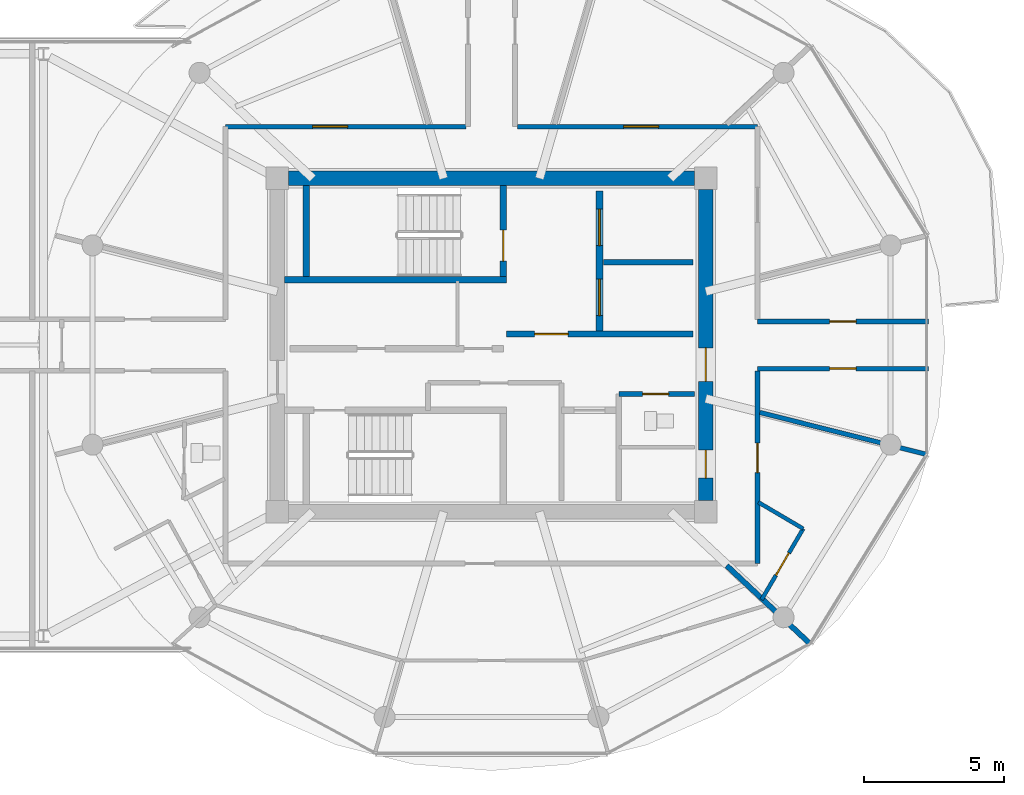
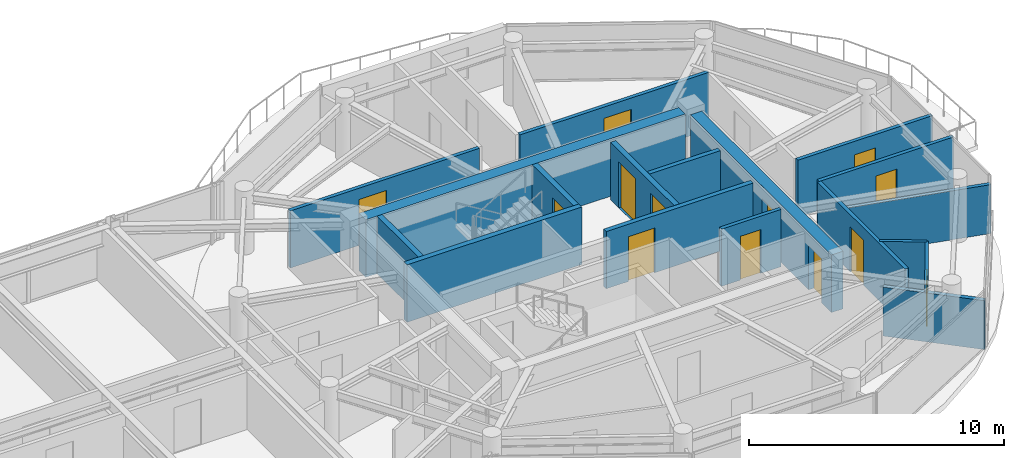
# One storey, part 18 of 24: 18 walls, 13 doors, 13 openings.
"""IFC4 building model written with IfcOpenShell, lengths in metres."""

from ifc_helpers import new_model, si_unit, direction, frame, frame_2d, origin, place, context, subcontext, project, spatial, rectangle, extrude, source, transform, mapped, material, layer, layer_set, type_object, type_shapes, element, fill, save


model = new_model("IFC4")

# Units and contexts
model_context = context("Model", 3, precision=1e-05, world=origin(), true_north=direction((0.0, 1.0)))
body_context = subcontext(model_context, "Body", "Model", "MODEL_VIEW")
ifc_project = project(units=[si_unit("LENGTHUNIT", "METRE"), si_unit("AREAUNIT", "SQUARE_METRE"), si_unit("VOLUMEUNIT", "CUBIC_METRE"), si_unit("PLANEANGLEUNIT", "RADIAN"), si_unit("MASSUNIT", "GRAM", prefix="KILO")], contexts=[model_context])

# Site, building, storey
site_placement = place(None, origin())
site = spatial("IfcSite", under=ifc_project, at=site_placement, CompositionType="ELEMENT")
building_placement = place(site_placement, origin())
building = spatial("IfcBuilding", under=site, at=building_placement, Name="Norrkilde Senior Care Towers", CompositionType="ELEMENT")
storey_placement = place(building_placement, frame((0.0, 0.0, 226.10009765625)))
storey = spatial("IfcBuildingStorey", under=building, at=storey_placement, Name="L70", CompositionType="ELEMENT", Elevation=226.10009765625)

# Wall
ifc_material_1 = material(Name="Concrete C50/60", Category="concrete")
ifc_layer_1 = layer(ifc_material_1, 0.52001953125)
ifc_layer_set_1 = layer_set([ifc_layer_1], Name="Concrete C50/60")
wall_type_1 = type_object("IfcWallType", Name="Core Shear Wall Z4 520", PredefinedType="SHEAR", material=ifc_layer_set_1)
shared_shape_1 = source(origin(), body_context, "Body", "SweptSolid", [
    extrude(rectangle(XDim=14.5, YDim=0.52001953125, at=frame_2d((7.25, 0.0))), origin(), (0.0, 0.0, 1.0), 2.760009765625),
])
wall_1_placement = place(storey_placement, frame((20.75, 5.949951171875, 0.0), z_axis=(0.0, 0.0, 1.0), x_axis=(1.0, 0.0, 0.0)))
element("IfcWall", 1, at=wall_1_placement, inside=storey, type_object=wall_type_1, Name="L70 Core E North Shear Wall", PredefinedType="SHEAR", context=body_context, shape_type="MappedRepresentation", body=[
    mapped(shared_shape_1, transform((0.0, 0.0, 0.0), x_axis=(1.0, 0.0, 0.0), y_axis=(0.0, 1.0, 0.0), z_axis=(0.0, 0.0, 1.0), scale=1.0)),
])

# Wall, openings, doors
shared_shape_2 = source(origin(), body_context, "Body", "SweptSolid", [
    extrude(rectangle(XDim=11.10009765625, YDim=0.52001953125, at=frame_2d((5.550048828125, 0.0))), origin(), (0.0, 0.0, 1.0), 2.760009765625),
])
type_shapes(wall_type_1, [shared_shape_1, shared_shape_2])
wall_2_placement = place(storey_placement, frame((35.64990234375, 5.550048828125, 0.0), z_axis=(0.0, 0.0, 1.0), x_axis=(0.0, -1.0, 0.0)))
wall_2 = element("IfcWall", 2, at=wall_2_placement, inside=storey, type_object=wall_type_1, Name="L70 Core E East Shear Wall", PredefinedType="SHEAR", context=body_context, shape_type="MappedRepresentation", body=[
    mapped(shared_shape_2, transform((0.0, 0.0, 0.0), x_axis=(1.0, 0.0, 0.0), y_axis=(0.0, 1.0, 0.0), z_axis=(0.0, 0.0, 1.0), scale=1.0)),
])
opening_1_placement = place(wall_2_placement, frame((5.64990234375, 0.0, 0.0)))
opening_1 = element("IfcOpeningElement", 3, at=opening_1_placement, cuts=wall_2, Name="Opening D-04", PredefinedType="OPENING", context=body_context, shape_type="SweptSolid", body=[
    extrude(rectangle(XDim=1.199951171875, YDim=2.14990234375, at=frame_2d((0.60009765625, 1.074951171875))), frame((0.0, 0.27001953125, 0.0), z_axis=(0.0, -1.0, 0.0), x_axis=(1.0, 0.0, 0.0)), (0.0, 0.0, 1.0), 0.5400390625),
])
opening_2_placement = place(wall_2_placement, frame((9.300048828125, 0.0, 0.0)))
opening_2 = element("IfcOpeningElement", 4, at=opening_2_placement, cuts=wall_2, Name="Opening D-10", PredefinedType="OPENING", context=body_context, shape_type="SweptSolid", body=[
    extrude(rectangle(XDim=1.0, YDim=2.10009765625, at=frame_2d((0.5, 1.050048828125))), frame((0.0, 0.27001953125, 0.0), z_axis=(0.0, -1.0, 0.0), x_axis=(1.0, 0.0, 0.0)), (0.0, 0.0, 1.0), 0.5400390625),
])
ifc_material_2 = material(Name="Galvanised Painted Steel", Category="steel")
door_type_1 = type_object("IfcDoorType", Name="Firefighting Lobby Fire Door 1200x2150", OperationType="NOTDEFINED", PredefinedType="DOOR", material=ifc_material_2)
shared_shape_3 = source(origin(), body_context, "Body", "SweptSolid", [
    extrude(rectangle(XDim=1.199951171875, YDim=2.14990234375, at=frame_2d((0.60009765625, 1.074951171875))), frame((0.0, 0.02490234375, 0.0), z_axis=(0.0, -1.0, 0.0), x_axis=(1.0, 0.0, 0.0)), (0.0, 0.0, 1.0), 0.050048828125),
])
type_shapes(door_type_1, [shared_shape_3])
door_1_placement = place(opening_1_placement, frame((1.199951171875, 0.0, 0.0), z_axis=(0.0, 0.0, 1.0), x_axis=(-1.0, 0.0, 0.0)))
door_1 = element("IfcDoor", 5, at=door_1_placement, inside=storey, type_object=door_type_1, Name="L70 Core E East Portal Door", OperationType="SINGLE_SWING_RIGHT", OverallHeight=2.14990234375, OverallWidth=1.199951171875, PredefinedType="DOOR", context=body_context, shape_type="MappedRepresentation", body=[
    mapped(shared_shape_3, transform((0.0, 0.0, 0.0), x_axis=(1.0, 0.0, 0.0), y_axis=(0.0, 1.0, 0.0), z_axis=(0.0, 0.0, 1.0), scale=1.0)),
])
fill(opening_1, door_1)
door_type_2 = type_object("IfcDoorType", Name="Plant and Riser Rated Door 1000x2100", OperationType="NOTDEFINED", PredefinedType="DOOR", material=ifc_material_2)
shared_shape_4 = source(origin(), body_context, "Body", "SweptSolid", [
    extrude(rectangle(XDim=1.0, YDim=2.10009765625, at=frame_2d((0.5, 1.050048828125))), frame((0.0, 0.02490234375, 0.0), z_axis=(0.0, -1.0, 0.0), x_axis=(1.0, 0.0, 0.0)), (0.0, 0.0, 1.0), 0.050048828125),
])
type_shapes(door_type_2, [shared_shape_4])
door_2_placement = place(opening_2_placement, frame((1.0, 0.0, 0.0), z_axis=(0.0, 0.0, 1.0), x_axis=(-1.0, 0.0, 0.0)))
door_2 = element("IfcDoor", 6, at=door_2_placement, inside=storey, type_object=door_type_2, Name="L70 Ventilation Riser E Door", OperationType="SINGLE_SWING_RIGHT", OverallHeight=2.10009765625, OverallWidth=1.0, PredefinedType="DOOR", context=body_context, shape_type="MappedRepresentation", body=[
    mapped(shared_shape_4, transform((0.0, 0.0, 0.0), x_axis=(1.0, 0.0, 0.0), y_axis=(0.0, 1.0, 0.0), z_axis=(0.0, 0.0, 1.0), scale=1.0)),
])
fill(opening_2, door_2)

# Walls
ifc_material_3 = material(Name="Concrete C45/55", Category="concrete")
ifc_layer_2 = layer(ifc_material_3, 0.239990234375)
ifc_layer_set_2 = layer_set([ifc_layer_2], Name="Concrete C45/55")
wall_type_2 = type_object("IfcWallType", Name="Shaft and Stair Enclosure Wall 240", PredefinedType="PARTITIONING", material=ifc_layer_set_2)
shared_shape_5 = source(origin(), body_context, "Body", "SweptSolid", [
    extrude(rectangle(XDim=7.929931640625, YDim=0.239990234375, at=frame_2d((3.96484375, 0.0))), origin(), (0.0, 0.0, 1.0), 2.760009765625),
])
wall_3_placement = place(storey_placement, frame((20.610107421875, 2.330078125, 0.0), z_axis=(0.0, 0.0, 1.0), x_axis=(1.0, 0.0, 0.0)))
element("IfcWall", 7, at=wall_3_placement, inside=storey, type_object=wall_type_2, Name="WL-INT-L70-E-ST1S", PredefinedType="PARTITIONING", context=body_context, shape_type="MappedRepresentation", body=[
    mapped(shared_shape_5, transform((0.0, 0.0, 0.0), x_axis=(1.0, 0.0, 0.0), y_axis=(0.0, 1.0, 0.0), z_axis=(0.0, 0.0, 1.0), scale=1.0)),
])
shared_shape_6 = source(origin(), body_context, "Body", "SweptSolid", [
    extrude(rectangle(XDim=3.239990234375, YDim=0.239990234375, at=frame_2d((1.6201171875, 0.0))), origin(), (0.0, 0.0, 1.0), 2.760009765625),
])
type_shapes(wall_type_2, [shared_shape_5, shared_shape_6])
wall_4_placement = place(storey_placement, frame((21.3798828125, 2.449951171875, 0.0), z_axis=(0.0, 0.0, 1.0), x_axis=(0.0, 1.0, 0.0)))
element("IfcWall", 8, at=wall_4_placement, inside=storey, type_object=wall_type_2, Name="WL-INT-L70-E-ST1W", PredefinedType="PARTITIONING", context=body_context, shape_type="MappedRepresentation", body=[
    mapped(shared_shape_6, transform((0.0, 0.0, 0.0), x_axis=(1.0, 0.0, 0.0), y_axis=(0.0, 1.0, 0.0), z_axis=(0.0, 0.0, 1.0), scale=1.0)),
])

# Wall, opening, door
wall_5_placement = place(storey_placement, frame((28.419921875, 2.449951171875, 0.0), z_axis=(0.0, 0.0, 1.0), x_axis=(0.0, 1.0, 0.0)))
wall_5 = element("IfcWall", 9, at=wall_5_placement, inside=storey, type_object=wall_type_2, Name="WL-INT-L70-E-ST1E", PredefinedType="PARTITIONING", context=body_context, shape_type="MappedRepresentation", body=[
    mapped(shared_shape_6, transform((0.0, 0.0, 0.0), x_axis=(1.0, 0.0, 0.0), y_axis=(0.0, 1.0, 0.0), z_axis=(0.0, 0.0, 1.0), scale=1.0)),
])
opening_3_placement = place(wall_5_placement, frame((0.550048828125, 0.0, 0.0)))
opening_3 = element("IfcOpeningElement", 10, at=opening_3_placement, cuts=wall_5, Name="Opening D-03", PredefinedType="OPENING", context=body_context, shape_type="SweptSolid", body=[
    extrude(rectangle(XDim=1.10009765625, YDim=2.14990234375, at=frame_2d((0.550048828125, 1.074951171875))), frame((0.0, 0.1298828125, 0.0), z_axis=(0.0, -1.0, 0.0), x_axis=(1.0, 0.0, 0.0)), (0.0, 0.0, 1.0), 0.260009765625),
])
door_type_3 = type_object("IfcDoorType", Name="Stairwell Protected Fire Door 1100x2150", OperationType="NOTDEFINED", PredefinedType="DOOR", material=ifc_material_2)
shared_shape_7 = source(origin(), body_context, "Body", "SweptSolid", [
    extrude(rectangle(XDim=1.10009765625, YDim=2.14990234375, at=frame_2d((0.550048828125, 1.074951171875))), frame((0.0, 0.02490234375, 0.0), z_axis=(0.0, -1.0, 0.0), x_axis=(1.0, 0.0, 0.0)), (0.0, 0.0, 1.0), 0.050048828125),
])
type_shapes(door_type_3, [shared_shape_7])
door_3_placement = place(opening_3_placement, origin())
door_3 = element("IfcDoor", 11, at=door_3_placement, inside=storey, type_object=door_type_3, Name="L70 Stair E1 Fire Door", OperationType="SINGLE_SWING_LEFT", OverallHeight=2.14990234375, OverallWidth=1.10009765625, PredefinedType="DOOR", context=body_context, shape_type="MappedRepresentation", body=[
    mapped(shared_shape_7, transform((0.0, 0.0, 0.0), x_axis=(1.0, 0.0, 0.0), y_axis=(0.0, 1.0, 0.0), z_axis=(0.0, 0.0, 1.0), scale=1.0)),
])
fill(opening_3, door_3)

# Walls
ifc_material_4 = material(Name="Gypsum Acoustic Board")
ifc_layer_3 = layer(ifc_material_4, 0.1650390625)
ifc_layer_set_3 = layer_set([ifc_layer_3], Name="Gypsum Acoustic Board")
wall_type_3 = type_object("IfcWallType", Name="Corridor Rated Partition 165", PredefinedType="PARTITIONING", material=ifc_layer_set_3)
shared_shape_8 = source(origin(), body_context, "Body", "SweptSolid", [
    extrude(rectangle(XDim=6.1572265625, YDim=0.1650390625, at=frame_2d((3.07861328125, 0.0))), origin(), (0.0, 0.0, 1.0), 2.344970703125),
])
wall_6_placement = place(storey_placement, frame((37.580078125, -2.407470703125, 0.0), z_axis=(0.0, 0.0, 1.0), x_axis=(0.969840867184, -0.243738984038, 0.0)))
element("IfcWall", 12, at=wall_6_placement, inside=storey, type_object=wall_type_3, Name="WL-INT-L70-E-DEM-11-0", PredefinedType="PARTITIONING", context=body_context, shape_type="MappedRepresentation", body=[
    mapped(shared_shape_8, transform((0.0, 0.0, 0.0), x_axis=(1.0, 0.0, 0.0), y_axis=(0.0, 1.0, 0.0), z_axis=(0.0, 0.0, 1.0), scale=1.0)),
])
ifc_layer_4 = layer(ifc_material_4, 0.18994140625)
ifc_layer_set_4 = layer_set([ifc_layer_4], Name="Gypsum Acoustic Board")
wall_type_4 = type_object("IfcWallType", Name="Unit Demising Acoustic Wall 190", PredefinedType="PARTITIONING", material=ifc_layer_set_4)
shared_shape_9 = source(origin(), body_context, "Body", "SweptSolid", [
    extrude(rectangle(XDim=4.089111328125, YDim=0.18994140625, at=frame_2d((2.04443359375, 0.0))), origin(), (0.0, 0.0, 1.0), 2.344970703125),
])
type_shapes(wall_type_4, [shared_shape_9])
wall_7_placement = place(storey_placement, frame((36.40185546875, -7.8798828125, 0.0), z_axis=(0.0, 0.0, 1.0), x_axis=(0.729401273609, -0.684086092577, 0.0)))
element("IfcWall", 13, at=wall_7_placement, inside=storey, type_object=wall_type_4, Name="WL-INT-L70-E-DEM-10-0", PredefinedType="PARTITIONING", context=body_context, shape_type="MappedRepresentation", body=[
    mapped(shared_shape_9, transform((0.0, 0.0, 0.0), x_axis=(1.0, 0.0, 0.0), y_axis=(0.0, 1.0, 0.0), z_axis=(0.0, 0.0, 1.0), scale=1.0)),
])

# Wall, openings, doors
ifc_layer_5 = layer(ifc_material_3, 0.239990234375)
ifc_layer_set_5 = layer_set([ifc_layer_5], Name="Concrete C45/55")
wall_type_5 = type_object("IfcWallType", Name="Lift and Plant Rated Enclosure Partition 240", PredefinedType="PARTITIONING", material=ifc_layer_set_5)
shared_shape_10 = source(origin(), body_context, "Body", "SweptSolid", [
    extrude(rectangle(XDim=5.0, YDim=0.239990234375, at=frame_2d((2.5, 0.0))), origin(), (0.0, 0.0, 1.0), 2.744873046875),
])
type_shapes(wall_type_5, [shared_shape_10])
wall_8_placement = place(storey_placement, frame((31.860107421875, 0.5, 0.0), z_axis=(0.0, 0.0, 1.0), x_axis=(0.0, 1.0, 0.0)))
wall_8 = element("IfcWall", 14, at=wall_8_placement, inside=storey, type_object=wall_type_5, Name="WL-INT-L70-E-FFLE", PredefinedType="PARTITIONING", context=body_context, shape_type="MappedRepresentation", body=[
    mapped(shared_shape_10, transform((0.0, 0.0, 0.0), x_axis=(1.0, 0.0, 0.0), y_axis=(0.0, 1.0, 0.0), z_axis=(0.0, 0.0, 1.0), scale=1.0)),
])
opening_4_placement = place(wall_8_placement, frame((3.050048828125, 0.0, 0.0)))
opening_4 = element("IfcOpeningElement", 15, at=opening_4_placement, cuts=wall_8, Name="Opening LD-02", PredefinedType="OPENING", context=body_context, shape_type="SweptSolid", body=[
    extrude(rectangle(XDim=1.300048828125, YDim=2.199951171875, at=frame_2d((0.64990234375, 1.10009765625))), frame((0.0, 0.1298828125, 0.0), z_axis=(0.0, -1.0, 0.0), x_axis=(1.0, 0.0, 0.0)), (0.0, 0.0, 1.0), 0.260009765625),
])
opening_5_placement = place(wall_8_placement, frame((0.550048828125, 0.0, 0.0)))
opening_5 = element("IfcOpeningElement", 16, at=opening_5_placement, cuts=wall_8, Name="Opening LD-02", PredefinedType="OPENING", context=body_context, shape_type="SweptSolid", body=[
    extrude(rectangle(XDim=1.300048828125, YDim=2.199951171875, at=frame_2d((0.64990234375, 1.10009765625))), frame((0.0, 0.1298828125, 0.0), z_axis=(0.0, -1.0, 0.0), x_axis=(1.0, 0.0, 0.0)), (0.0, 0.0, 1.0), 0.260009765625),
])
ifc_material_5 = material(Name="Stainless Steel", Category="steel")
door_type_4 = type_object("IfcDoorType", Name="Stretcher and FFL Landing Sliding Door 1300x2200", OperationType="NOTDEFINED", PredefinedType="DOOR", material=ifc_material_5)
shared_shape_11 = source(origin(), body_context, "Body", "SweptSolid", [
    extrude(rectangle(XDim=1.300048828125, YDim=2.199951171875, at=frame_2d((0.64990234375, 1.10009765625))), frame((0.0, 0.02490234375, 0.0), z_axis=(0.0, -1.0, 0.0), x_axis=(1.0, 0.0, 0.0)), (0.0, 0.0, 1.0), 0.050048828125),
])
type_shapes(door_type_4, [shared_shape_11])
door_4_placement = place(opening_4_placement, origin())
door_4 = element("IfcDoor", 17, at=door_4_placement, inside=storey, type_object=door_type_4, Name="L70 Firefighting Lift E1 Landing Door", OperationType="SLIDING_TO_LEFT", OverallHeight=2.199951171875, OverallWidth=1.300048828125, PredefinedType="DOOR", context=body_context, shape_type="MappedRepresentation", body=[
    mapped(shared_shape_11, transform((0.0, 0.0, 0.0), x_axis=(1.0, 0.0, 0.0), y_axis=(0.0, 1.0, 0.0), z_axis=(0.0, 0.0, 1.0), scale=1.0)),
])
fill(opening_4, door_4)
door_5_placement = place(opening_5_placement, origin())
door_5 = element("IfcDoor", 18, at=door_5_placement, inside=storey, type_object=door_type_4, Name="L70 Stretcher Lift E1 Landing Door", OperationType="SLIDING_TO_RIGHT", OverallHeight=2.199951171875, OverallWidth=1.300048828125, PredefinedType="DOOR", context=body_context, shape_type="MappedRepresentation", body=[
    mapped(shared_shape_11, transform((0.0, 0.0, 0.0), x_axis=(1.0, 0.0, 0.0), y_axis=(0.0, 1.0, 0.0), z_axis=(0.0, 0.0, 1.0), scale=1.0)),
])
fill(opening_5, door_5)

# Wall
ifc_layer_6 = layer(ifc_material_3, 0.199951171875)
ifc_layer_set_6 = layer_set([ifc_layer_6], Name="Concrete C45/55")
wall_type_6 = type_object("IfcWallType", Name="Shaft Division and Plant Partition 200", PredefinedType="PARTITIONING", material=ifc_layer_set_6)
shared_shape_12 = source(origin(), body_context, "Body", "SweptSolid", [
    extrude(rectangle(XDim=3.199951171875, YDim=0.199951171875, at=frame_2d((1.60009765625, 0.0))), origin(), (0.0, 0.0, 1.0), 2.744873046875),
])
type_shapes(wall_type_6, [shared_shape_12])
wall_9_placement = place(storey_placement, frame((32.0, 2.949951171875, 0.0), z_axis=(0.0, 0.0, 1.0), x_axis=(1.0, 0.0, 0.0)))
element("IfcWall", 19, at=wall_9_placement, inside=storey, type_object=wall_type_6, Name="WL-INT-L70-E-FFLDIV", PredefinedType="PARTITIONING", context=body_context, shape_type="MappedRepresentation", body=[
    mapped(shared_shape_12, transform((0.0, 0.0, 0.0), x_axis=(1.0, 0.0, 0.0), y_axis=(0.0, 1.0, 0.0), z_axis=(0.0, 0.0, 1.0), scale=1.0)),
])

# Wall, opening, door
ifc_layer_7 = layer(ifc_material_3, 0.2099609375)
ifc_layer_set_7 = layer_set([ifc_layer_7], Name="Concrete C45/55")
wall_type_7 = type_object("IfcWallType", Name="Firefighting Lobby Wall 210", PredefinedType="PARTITIONING", material=ifc_layer_set_7)
shared_shape_13 = source(origin(), body_context, "Body", "SweptSolid", [
    extrude(rectangle(XDim=6.659912109375, YDim=0.2099609375, at=frame_2d((3.330078125, 0.0))), origin(), (0.0, 0.0, 1.0), 2.744873046875),
])
type_shapes(wall_type_7, [shared_shape_13])
wall_10_placement = place(storey_placement, frame((28.5400390625, 0.389892578125, 0.0), z_axis=(0.0, 0.0, 1.0), x_axis=(1.0, 0.0, 0.0)))
wall_10 = element("IfcWall", 20, at=wall_10_placement, inside=storey, type_object=wall_type_7, Name="WL-INT-L70-E-FFLS", PredefinedType="PARTITIONING", context=body_context, shape_type="MappedRepresentation", body=[
    mapped(shared_shape_13, transform((0.0, 0.0, 0.0), x_axis=(1.0, 0.0, 0.0), y_axis=(0.0, 1.0, 0.0), z_axis=(0.0, 0.0, 1.0), scale=1.0)),
])
opening_6_placement = place(wall_10_placement, frame((1.0, 0.0, 0.0)))
opening_6 = element("IfcOpeningElement", 21, at=opening_6_placement, cuts=wall_10, Name="Opening D-04", PredefinedType="OPENING", context=body_context, shape_type="SweptSolid", body=[
    extrude(rectangle(XDim=1.199951171875, YDim=2.14990234375, at=frame_2d((0.60009765625, 1.074951171875))), frame((0.0, 0.114990234375, 0.0), z_axis=(0.0, -1.0, 0.0), x_axis=(1.0, 0.0, 0.0)), (0.0, 0.0, 1.0), 0.22998046875),
])
door_6_placement = place(opening_6_placement, frame((1.199951171875, 0.0, 0.0), z_axis=(0.0, 0.0, 1.0), x_axis=(-1.0, 0.0, 0.0)))
door_6 = element("IfcDoor", 22, at=door_6_placement, inside=storey, type_object=door_type_1, Name="L70 Firefighting Lobby E Door", OperationType="SINGLE_SWING_LEFT", OverallHeight=2.14990234375, OverallWidth=1.199951171875, PredefinedType="DOOR", context=body_context, shape_type="MappedRepresentation", body=[
    mapped(shared_shape_3, transform((0.0, 0.0, 0.0), x_axis=(1.0, 0.0, 0.0), y_axis=(0.0, 1.0, 0.0), z_axis=(0.0, 0.0, 1.0), scale=1.0)),
])
fill(opening_6, door_6)

shared_shape_14 = source(origin(), body_context, "Body", "SweptSolid", [
    extrude(rectangle(XDim=2.699951171875, YDim=0.1650390625, at=frame_2d((1.35009765625, 0.0))), origin(), (0.0, 0.0, 1.0), 2.744873046875),
])
wall_11_placement = place(storey_placement, frame((32.550048828125, -1.75, 0.0), z_axis=(0.0, 0.0, 1.0), x_axis=(1.0, 0.0, 0.0)))
wall_11 = element("IfcWall", 23, at=wall_11_placement, inside=storey, type_object=wall_type_3, Name="WL-INT-L70-E-CSN", PredefinedType="PARTITIONING", context=body_context, shape_type="MappedRepresentation", body=[
    mapped(shared_shape_14, transform((0.0, 0.0, 0.0), x_axis=(1.0, 0.0, 0.0), y_axis=(0.0, 1.0, 0.0), z_axis=(0.0, 0.0, 1.0), scale=1.0)),
])
opening_7_placement = place(wall_11_placement, frame((0.85009765625, 0.0, 0.0)))
opening_7 = element("IfcOpeningElement", 24, at=opening_7_placement, cuts=wall_11, Name="Opening D-12", PredefinedType="OPENING", context=body_context, shape_type="SweptSolid", body=[
    extrude(rectangle(XDim=0.925048828125, YDim=2.10009765625, at=frame_2d((0.46240234375, 1.050048828125))), frame((0.0, 0.092529296875, 0.0), z_axis=(0.0, -1.0, 0.0), x_axis=(1.0, 0.0, 0.0)), (0.0, 0.0, 1.0), 0.18505859375),
])
door_type_5 = type_object("IfcDoorType", Name="Core Wet Room Rated Door 925x2100", OperationType="NOTDEFINED", PredefinedType="DOOR", material=ifc_material_2)
shared_shape_15 = source(origin(), body_context, "Body", "SweptSolid", [
    extrude(rectangle(XDim=0.925048828125, YDim=2.10009765625, at=frame_2d((0.46240234375, 1.050048828125))), frame((0.0, 0.02490234375, 0.0), z_axis=(0.0, -1.0, 0.0), x_axis=(1.0, 0.0, 0.0)), (0.0, 0.0, 1.0), 0.050048828125),
])
type_shapes(door_type_5, [shared_shape_15])
door_7_placement = place(opening_7_placement, origin())
door_7 = element("IfcDoor", 25, at=door_7_placement, inside=storey, type_object=door_type_5, Name="L70 Staff WC E Door", OperationType="SINGLE_SWING_LEFT", OverallHeight=2.10009765625, OverallWidth=0.925048828125, PredefinedType="DOOR", context=body_context, shape_type="MappedRepresentation", body=[
    mapped(shared_shape_15, transform((0.0, 0.0, 0.0), x_axis=(1.0, 0.0, 0.0), y_axis=(0.0, 1.0, 0.0), z_axis=(0.0, 0.0, 1.0), scale=1.0)),
])
fill(opening_7, door_7)

shared_shape_16 = source(origin(), body_context, "Body", "SweptSolid", [
    extrude(rectangle(XDim=8.580078125, YDim=0.1650390625, at=frame_2d((4.2900390625, 0.0))), origin(), (0.0, 0.0, 1.0), 2.744873046875),
])
wall_12_placement = place(storey_placement, frame((18.5, 7.800048828125, 0.0), z_axis=(0.0, 0.0, 1.0), x_axis=(1.0, 0.0, 0.0)))
wall_12 = element("IfcWall", 26, at=wall_12_placement, inside=storey, type_object=wall_type_3, Name="WL-INT-L70-E-CRW-N-0", PredefinedType="PARTITIONING", context=body_context, shape_type="MappedRepresentation", body=[
    mapped(shared_shape_16, transform((0.0, 0.0, 0.0), x_axis=(1.0, 0.0, 0.0), y_axis=(0.0, 1.0, 0.0), z_axis=(0.0, 0.0, 1.0), scale=1.0)),
])
opening_8_placement = place(wall_12_placement, frame((3.110107421875, 0.0, 0.0)))
opening_8 = element("IfcOpeningElement", 27, at=opening_8_placement, cuts=wall_12, Name="Opening D-05", PredefinedType="OPENING", context=body_context, shape_type="SweptSolid", body=[
    extrude(rectangle(XDim=1.25, YDim=2.199951171875, at=frame_2d((0.625, 1.10009765625))), frame((0.0, 0.092529296875, 0.0), z_axis=(0.0, -1.0, 0.0), x_axis=(1.0, 0.0, 0.0)), (0.0, 0.0, 1.0), 0.18505859375),
])
ifc_material_6 = material(Name="Nordic Ash Timber", Category="wood")
door_type_6 = type_object("IfcDoorType", Name="Care Bedroom Bariatric Door 1250x2200", OperationType="NOTDEFINED", PredefinedType="DOOR", material=ifc_material_6)
shared_shape_17 = source(origin(), body_context, "Body", "SweptSolid", [
    extrude(rectangle(XDim=1.25, YDim=2.199951171875, at=frame_2d((0.625, 1.10009765625))), frame((0.0, 0.02490234375, 0.0), z_axis=(0.0, -1.0, 0.0), x_axis=(1.0, 0.0, 0.0)), (0.0, 0.0, 1.0), 0.050048828125),
])
type_shapes(door_type_6, [shared_shape_17])
door_8_placement = place(opening_8_placement, frame((1.25, 0.0, 0.0), z_axis=(0.0, 0.0, 1.0), x_axis=(-1.0, 0.0, 0.0)))
door_8 = element("IfcDoor", 28, at=door_8_placement, inside=storey, type_object=door_type_6, Name="L70 Care Coordination Charting Office Door", OperationType="SINGLE_SWING_RIGHT", OverallHeight=2.199951171875, OverallWidth=1.25, PredefinedType="DOOR", context=body_context, shape_type="MappedRepresentation", body=[
    mapped(shared_shape_17, transform((0.0, 0.0, 0.0), x_axis=(1.0, 0.0, 0.0), y_axis=(0.0, 1.0, 0.0), z_axis=(0.0, 0.0, 1.0), scale=1.0)),
])
fill(opening_8, door_8)

wall_13_placement = place(storey_placement, frame((28.919921875, 7.800048828125, 0.0), z_axis=(0.0, 0.0, 1.0), x_axis=(1.0, 0.0, 0.0)))
wall_13 = element("IfcWall", 29, at=wall_13_placement, inside=storey, type_object=wall_type_3, Name="WL-INT-L70-E-CRW-N-1", PredefinedType="PARTITIONING", context=body_context, shape_type="MappedRepresentation", body=[
    mapped(shared_shape_16, transform((0.0, 0.0, 0.0), x_axis=(1.0, 0.0, 0.0), y_axis=(0.0, 1.0, 0.0), z_axis=(0.0, 0.0, 1.0), scale=1.0)),
])
opening_9_placement = place(wall_13_placement, frame((3.802490234375, 0.0, 0.0)))
opening_9 = element("IfcOpeningElement", 30, at=opening_9_placement, cuts=wall_13, Name="Opening D-05", PredefinedType="OPENING", context=body_context, shape_type="SweptSolid", body=[
    extrude(rectangle(XDim=1.25, YDim=2.199951171875, at=frame_2d((0.625, 1.10009765625))), frame((0.0, 0.092529296875, 0.0), z_axis=(0.0, -1.0, 0.0), x_axis=(1.0, 0.0, 0.0)), (0.0, 0.0, 1.0), 0.18505859375),
])
door_9_placement = place(opening_9_placement, frame((1.25, 0.0, 0.0), z_axis=(0.0, 0.0, 1.0), x_axis=(-1.0, 0.0, 0.0)))
door_9 = element("IfcDoor", 31, at=door_9_placement, inside=storey, type_object=door_type_6, Name="L70 Senior Wellness Library Lounge Door", OperationType="SINGLE_SWING_RIGHT", OverallHeight=2.199951171875, OverallWidth=1.25, PredefinedType="DOOR", context=body_context, shape_type="MappedRepresentation", body=[
    mapped(shared_shape_17, transform((0.0, 0.0, 0.0), x_axis=(1.0, 0.0, 0.0), y_axis=(0.0, 1.0, 0.0), z_axis=(0.0, 0.0, 1.0), scale=1.0)),
])
fill(opening_9, door_9)

shared_shape_18 = source(origin(), body_context, "Body", "SweptSolid", [
    extrude(rectangle(XDim=6.880126953125, YDim=0.1650390625, at=frame_2d((3.43994140625, 0.0))), origin(), (0.0, 0.0, 1.0), 2.744873046875),
])
wall_14_placement = place(storey_placement, frame((37.5, -0.919921875, 0.0), z_axis=(0.0, 0.0, 1.0), x_axis=(0.0, -1.0, 0.0)))
wall_14 = element("IfcWall", 32, at=wall_14_placement, inside=storey, type_object=wall_type_3, Name="WL-INT-L70-E-CRW-E-1", PredefinedType="PARTITIONING", context=body_context, shape_type="MappedRepresentation", body=[
    mapped(shared_shape_18, transform((0.0, 0.0, 0.0), x_axis=(1.0, 0.0, 0.0), y_axis=(0.0, 1.0, 0.0), z_axis=(0.0, 0.0, 1.0), scale=1.0)),
])
opening_10_placement = place(wall_14_placement, frame((2.5859375, 0.0, 0.0)))
opening_10 = element("IfcOpeningElement", 33, at=opening_10_placement, cuts=wall_14, Name="Opening D-06", PredefinedType="OPENING", context=body_context, shape_type="SweptSolid", body=[
    extrude(rectangle(XDim=1.050048828125, YDim=2.14990234375, at=frame_2d((0.52490234375, 1.074951171875))), frame((0.0, 0.092529296875, 0.0), z_axis=(0.0, -1.0, 0.0), x_axis=(1.0, 0.0, 0.0)), (0.0, 0.0, 1.0), 0.18505859375),
])
door_type_7 = type_object("IfcDoorType", Name="Apartment Entrance Fire Door 1050x2150", OperationType="NOTDEFINED", PredefinedType="DOOR", material=ifc_material_6)
shared_shape_19 = source(origin(), body_context, "Body", "SweptSolid", [
    extrude(rectangle(XDim=1.050048828125, YDim=2.14990234375, at=frame_2d((0.52490234375, 1.074951171875))), frame((0.0, 0.02490234375, 0.0), z_axis=(0.0, -1.0, 0.0), x_axis=(1.0, 0.0, 0.0)), (0.0, 0.0, 1.0), 0.050048828125),
])
type_shapes(door_type_7, [shared_shape_19])
door_10_placement = place(opening_10_placement, frame((1.050048828125, 0.0, 0.0), z_axis=(0.0, 0.0, 1.0), x_axis=(-1.0, 0.0, 0.0)))
door_10 = element("IfcDoor", 34, at=door_10_placement, inside=storey, type_object=door_type_7, Name="L70 Studio 70E Entrance Door", OperationType="SINGLE_SWING_LEFT", OverallHeight=2.14990234375, OverallWidth=1.050048828125, PredefinedType="DOOR", context=body_context, shape_type="MappedRepresentation", body=[
    mapped(shared_shape_19, transform((0.0, 0.0, 0.0), x_axis=(1.0, 0.0, 0.0), y_axis=(0.0, 1.0, 0.0), z_axis=(0.0, 0.0, 1.0), scale=1.0)),
])
fill(opening_10, door_10)

shared_shape_20 = source(origin(), body_context, "Body", "SweptSolid", [
    extrude(rectangle(XDim=6.101318359375, YDim=0.1650390625, at=frame_2d((3.05078125, 0.0))), origin(), (0.0, 0.0, 1.0), 2.744873046875),
])
type_shapes(wall_type_3, [shared_shape_8, shared_shape_14, shared_shape_16, shared_shape_18, shared_shape_20])
wall_15_placement = place(storey_placement, frame((37.5, 0.840087890625, 0.0), z_axis=(0.0, 0.0, 1.0), x_axis=(1.0, 0.0, 0.0)))
wall_15 = element("IfcWall", 35, at=wall_15_placement, inside=storey, type_object=wall_type_3, Name="WL-INT-L70-E-SPK-E1-0", PredefinedType="PARTITIONING", context=body_context, shape_type="MappedRepresentation", body=[
    mapped(shared_shape_20, transform((0.0, 0.0, 0.0), x_axis=(1.0, 0.0, 0.0), y_axis=(0.0, 1.0, 0.0), z_axis=(0.0, 0.0, 1.0), scale=1.0)),
])
opening_11_placement = place(wall_15_placement, frame((2.57568359375, 0.0, 0.0)))
opening_11 = element("IfcOpeningElement", 36, at=opening_11_placement, cuts=wall_15, Name="Opening D-07", PredefinedType="OPENING", context=body_context, shape_type="SweptSolid", body=[
    extrude(rectangle(XDim=0.949951171875, YDim=2.10009765625, at=frame_2d((0.47509765625, 1.050048828125))), frame((0.0, 0.092529296875, 0.0), z_axis=(0.0, -1.0, 0.0), x_axis=(1.0, 0.0, 0.0)), (0.0, 0.0, 1.0), 0.18505859375),
])
door_type_8 = type_object("IfcDoorType", Name="Internal Suite Bedroom Door 950x2100", OperationType="NOTDEFINED", PredefinedType="DOOR", material=ifc_material_6)
shared_shape_21 = source(origin(), body_context, "Body", "SweptSolid", [
    extrude(rectangle(XDim=0.949951171875, YDim=2.10009765625, at=frame_2d((0.47509765625, 1.050048828125))), frame((0.0, 0.02490234375, 0.0), z_axis=(0.0, -1.0, 0.0), x_axis=(1.0, 0.0, 0.0)), (0.0, 0.0, 1.0), 0.050048828125),
])
type_shapes(door_type_8, [shared_shape_21])
door_11_placement = place(opening_11_placement, frame((0.949951171875, 0.0, 0.0), z_axis=(0.0, 0.0, 1.0), x_axis=(-1.0, 0.0, 0.0)))
door_11 = element("IfcDoor", 37, at=door_11_placement, inside=storey, type_object=door_type_8, Name="L70 Sun Reading Lounge 6 Door", OperationType="SINGLE_SWING_LEFT", OverallHeight=2.10009765625, OverallWidth=0.949951171875, PredefinedType="DOOR", context=body_context, shape_type="MappedRepresentation", body=[
    mapped(shared_shape_21, transform((0.0, 0.0, 0.0), x_axis=(1.0, 0.0, 0.0), y_axis=(0.0, 1.0, 0.0), z_axis=(0.0, 0.0, 1.0), scale=1.0)),
])
fill(opening_11, door_11)

wall_16_placement = place(storey_placement, frame((43.601318359375, -0.840087890625, 0.0), z_axis=(0.0, 0.0, 1.0), x_axis=(-1.0, 0.0, 0.0)))
wall_16 = element("IfcWall", 38, at=wall_16_placement, inside=storey, type_object=wall_type_3, Name="WL-INT-L70-E-SPK-E2-0", PredefinedType="PARTITIONING", context=body_context, shape_type="MappedRepresentation", body=[
    mapped(shared_shape_20, transform((0.0, 0.0, 0.0), x_axis=(1.0, 0.0, 0.0), y_axis=(0.0, 1.0, 0.0), z_axis=(0.0, 0.0, 1.0), scale=1.0)),
])
opening_12_placement = place(wall_16_placement, frame((2.57568359375, 0.0, 0.0)))
opening_12 = element("IfcOpeningElement", 39, at=opening_12_placement, cuts=wall_16, Name="Opening D-07", PredefinedType="OPENING", context=body_context, shape_type="SweptSolid", body=[
    extrude(rectangle(XDim=0.949951171875, YDim=2.10009765625, at=frame_2d((0.47509765625, 1.050048828125))), frame((0.0, 0.092529296875, 0.0), z_axis=(0.0, -1.0, 0.0), x_axis=(1.0, 0.0, 0.0)), (0.0, 0.0, 1.0), 0.18505859375),
])
door_12_placement = place(opening_12_placement, frame((0.949951171875, 0.0, 0.0), z_axis=(0.0, 0.0, 1.0), x_axis=(-1.0, 0.0, 0.0)))
door_12 = element("IfcDoor", 40, at=door_12_placement, inside=storey, type_object=door_type_8, Name="L70 Sun Reading Lounge 5 Door", OperationType="SINGLE_SWING_RIGHT", OverallHeight=2.10009765625, OverallWidth=0.949951171875, PredefinedType="DOOR", context=body_context, shape_type="MappedRepresentation", body=[
    mapped(shared_shape_21, transform((0.0, 0.0, 0.0), x_axis=(1.0, 0.0, 0.0), y_axis=(0.0, 1.0, 0.0), z_axis=(0.0, 0.0, 1.0), scale=1.0)),
])
fill(opening_12, door_12)

# Wall
ifc_layer_8 = layer(ifc_material_4, 0.139892578125)
ifc_layer_set_8 = layer_set([ifc_layer_8], Name="Gypsum Acoustic Board")
wall_type_8 = type_object("IfcWallType", Name="En-suite Wet Room Wall 140", PredefinedType="PARTITIONING", material=ifc_layer_set_8)
shared_shape_22 = source(origin(), body_context, "Body", "SweptSolid", [
    extrude(rectangle(XDim=1.859130859375, YDim=0.139892578125, at=frame_2d((0.9296875, 0.0))), origin(), (0.0, 0.0, 1.0), 2.744873046875),
])
wall_17_placement = place(storey_placement, frame((37.530029296875, -5.615478515625, 0.0), z_axis=(0.0, 0.0, 1.0), x_axis=(0.861555897139, -0.507662718845, 0.0)))
element("IfcWall", 41, at=wall_17_placement, inside=storey, type_object=wall_type_8, Name="WL-INT-L70-E-ES-10", PredefinedType="PARTITIONING", context=body_context, shape_type="MappedRepresentation", body=[
    mapped(shared_shape_22, transform((0.0, 0.0, 0.0), x_axis=(1.0, 0.0, 0.0), y_axis=(0.0, 1.0, 0.0), z_axis=(0.0, 0.0, 1.0), scale=1.0)),
])

# Wall, opening, door
shared_shape_23 = source(origin(), body_context, "Body", "SweptSolid", [
    extrude(rectangle(XDim=2.939453125, YDim=0.139892578125, at=frame_2d((1.4697265625, 0.0))), origin(), (0.0, 0.0, 1.0), 2.744873046875),
])
type_shapes(wall_type_8, [shared_shape_22, shared_shape_23])
wall_18_placement = place(storey_placement, frame((39.1318359375, -6.559326171875, 0.0), z_axis=(0.0, 0.0, 1.0), x_axis=(-0.505883614636, -0.862601743821, 0.0)))
wall_18 = element("IfcWall", 42, at=wall_18_placement, inside=storey, type_object=wall_type_8, Name="WL-INT-L70-E-EF-10", PredefinedType="PARTITIONING", context=body_context, shape_type="MappedRepresentation", body=[
    mapped(shared_shape_23, transform((0.0, 0.0, 0.0), x_axis=(1.0, 0.0, 0.0), y_axis=(0.0, 1.0, 0.0), z_axis=(0.0, 0.0, 1.0), scale=1.0)),
])
opening_13_placement = place(wall_18_placement, frame((1.009765625, 0.0, 0.0)))
opening_13 = element("IfcOpeningElement", 43, at=opening_13_placement, cuts=wall_18, Name="Opening D-08", PredefinedType="OPENING", context=body_context, shape_type="SweptSolid", body=[
    extrude(rectangle(XDim=0.919921875, YDim=2.10009765625, at=frame_2d((0.4599609375, 1.050048828125))), frame((0.0, 0.079833984375, 0.0), z_axis=(0.0, -1.0, 0.0), x_axis=(1.0, 0.0, 0.0)), (0.0, 0.0, 1.0), 0.159912109375),
])
door_type_9 = type_object("IfcDoorType", Name="Accessible Wet Room Door 920x2100", OperationType="NOTDEFINED", PredefinedType="DOOR", material=ifc_material_6)
shared_shape_24 = source(origin(), body_context, "Body", "SweptSolid", [
    extrude(rectangle(XDim=0.919921875, YDim=2.10009765625, at=frame_2d((0.4599609375, 1.050048828125))), frame((0.0, 0.02490234375, 0.0), z_axis=(0.0, -1.0, 0.0), x_axis=(1.0, 0.0, 0.0)), (0.0, 0.0, 1.0), 0.050048828125),
])
type_shapes(door_type_9, [shared_shape_24])
door_13_placement = place(opening_13_placement, origin())
door_13 = element("IfcDoor", 44, at=door_13_placement, inside=storey, type_object=door_type_9, Name="L70 Studio 70E Bathroom Door", OperationType="SINGLE_SWING_RIGHT", OverallHeight=2.10009765625, OverallWidth=0.919921875, PredefinedType="DOOR", context=body_context, shape_type="MappedRepresentation", body=[
    mapped(shared_shape_24, transform((0.0, 0.0, 0.0), x_axis=(1.0, 0.0, 0.0), y_axis=(0.0, 1.0, 0.0), z_axis=(0.0, 0.0, 1.0), scale=1.0)),
])
fill(opening_13, door_13)

save(model, "model.ifc")
